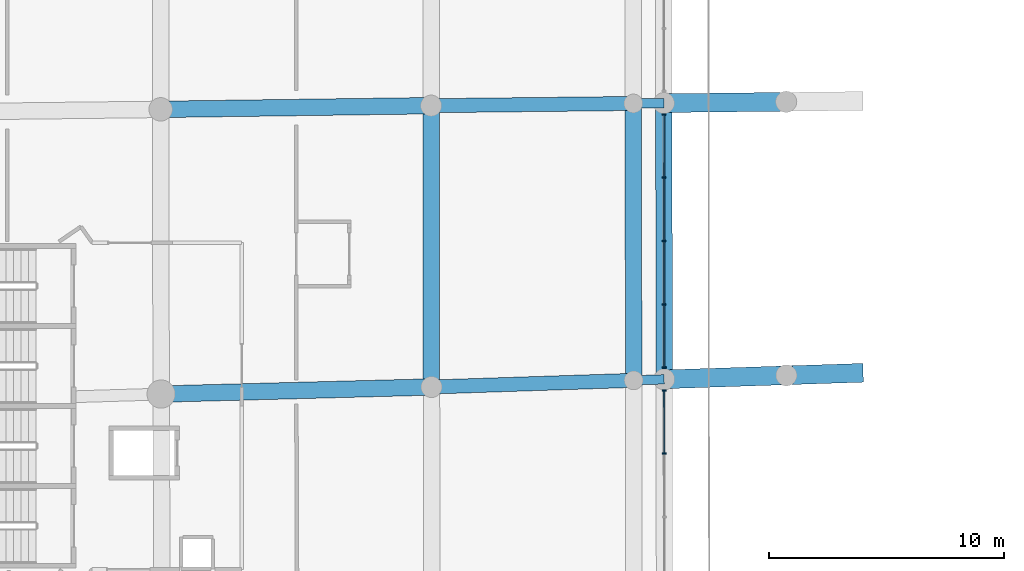
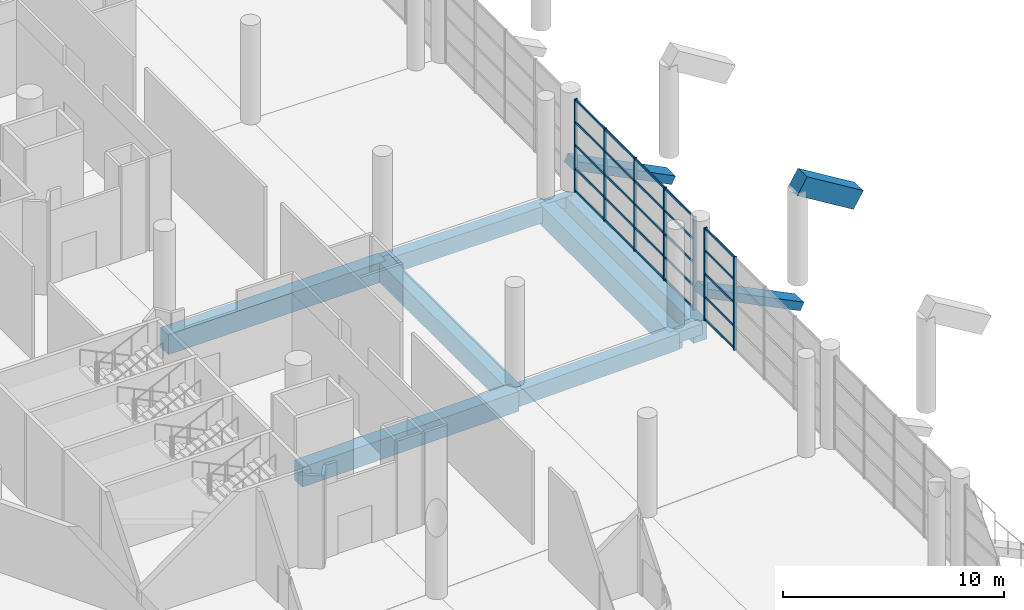
# One storey, part 37 of 271: 32 members, 12 beams, 2 elements without a shape of their own.
"""IFC4 building model written with IfcOpenShell, lengths in metres."""

from ifc_helpers import new_model, si_unit, direction, frame, origin, origin_2d, place, context, subcontext, project, spatial, rectangle, extrude, material, layer, layer_set, material_profile, profile_set, type_object, element, aggregate, save


model = new_model("IFC4")

# Units and contexts
model_context = context("Model", 3, precision=1e-05, world=origin(), true_north=direction((0.0, 1.0)))
body_context = subcontext(model_context, "Body", "Model", "MODEL_VIEW")
ifc_project = project(units=[si_unit("LENGTHUNIT", "METRE"), si_unit("AREAUNIT", "SQUARE_METRE"), si_unit("VOLUMEUNIT", "CUBIC_METRE"), si_unit("PLANEANGLEUNIT", "RADIAN"), si_unit("MASSUNIT", "GRAM", prefix="KILO")], contexts=[model_context])

# Site, building, storey
site_placement = place(None, origin())
site = spatial("IfcSite", under=ifc_project, at=site_placement, CompositionType="ELEMENT")
building_placement = place(site_placement, origin())
building = spatial("IfcBuilding", under=site, at=building_placement, Name="Meseta Stadium", CompositionType="ELEMENT")
storey_placement = place(building_placement, frame((0.0, 0.0, 6.5)))
storey = spatial("IfcBuildingStorey", under=building, at=storey_placement, Name="L01", CompositionType="ELEMENT", Elevation=6.5)

# Curtain wall, members
ifc_material_1 = material(Name="Aluminium", Category="aluminium")
ifc_layer = layer(ifc_material_1, 0.199951171875)
ifc_layer_set = layer_set([ifc_layer], Name="Club glazing curtain wall")
curtain_wall_type = type_object("IfcCurtainWallType", Name="Club glazing curtain wall", PredefinedType="NOTDEFINED", material=ifc_layer_set)
curtain_wall_1_placement = place(storey_placement, origin())
curtain_wall_1 = element("IfcCurtainWall", 1, at=curtain_wall_1_placement, inside=storey, type_object=curtain_wall_type, Name="Club glazing bay 33", PredefinedType="NOTDEFINED")
ifc_material_2 = material(Name="Aluminium", Category="aluminium")
ifc_material_profile_1 = material_profile(ifc_material_2, rectangle(XDim=0.159912109375, YDim=0.06005859375, at=origin_2d()), Name="CW 160x60")
ifc_profile_set_1 = profile_set([ifc_material_profile_1], Name="Aluminium")
member_type_1 = type_object("IfcMemberType", Name="CW mullion 60x160", PredefinedType="MULLION", material=ifc_profile_set_1)
member_1_placement = place(storey_placement, frame((-63.59814453125, -6.352783203125, 0.0), z_axis=(0.0, 0.0, 1.0), x_axis=(0.999999572613, 0.000924539991, 0.0)))
member_1 = element("IfcMember", 2, at=member_1_placement, type_object=member_type_1, Name="CWC mullion 1", PredefinedType="MULLION", context=body_context, shape_type="SweptSolid", body=[
    extrude(rectangle(XDim=0.159912109375, YDim=0.06005859375, at=origin_2d()), origin(), (0.0, 0.0, 1.0), 5.14990234375),
])
member_2_placement = place(storey_placement, frame((-63.595703125, -9.02685546875, 0.0), z_axis=(0.0, 0.0, 1.0), x_axis=(0.999999572613, 0.000924539991, 0.0)))
member_2 = element("IfcMember", 3, at=member_2_placement, type_object=member_type_1, Name="CWC mullion 2", PredefinedType="MULLION", context=body_context, shape_type="SweptSolid", body=[
    extrude(rectangle(XDim=0.159912109375, YDim=0.06005859375, at=origin_2d()), origin(), (0.0, 0.0, 1.0), 5.14990234375),
])
member_3_placement = place(storey_placement, frame((-63.59326171875, -11.730712890625, 0.0), z_axis=(0.0, 0.0, 1.0), x_axis=(0.999999572613, 0.000924539991, 0.0)))
member_3 = element("IfcMember", 4, at=member_3_placement, type_object=member_type_1, Name="CWC mullion 3", PredefinedType="MULLION", context=body_context, shape_type="SweptSolid", body=[
    extrude(rectangle(XDim=0.159912109375, YDim=0.06005859375, at=origin_2d()), origin(), (0.0, 0.0, 1.0), 5.14990234375),
])
member_4_placement = place(storey_placement, frame((-63.5908203125, -14.434814453125, 0.0), z_axis=(0.0, 0.0, 1.0), x_axis=(0.999999572613, 0.000924539991, 0.0)))
member_4 = element("IfcMember", 5, at=member_4_placement, type_object=member_type_1, Name="CWC mullion 4", PredefinedType="MULLION", context=body_context, shape_type="SweptSolid", body=[
    extrude(rectangle(XDim=0.159912109375, YDim=0.06005859375, at=origin_2d()), origin(), (0.0, 0.0, 1.0), 5.14990234375),
])
member_5_placement = place(storey_placement, frame((-63.588134765625, -17.10888671875, 0.0), z_axis=(0.0, 0.0, 1.0), x_axis=(0.999999572613, 0.000924539991, 0.0)))
member_5 = element("IfcMember", 6, at=member_5_placement, type_object=member_type_1, Name="CWC mullion 5", PredefinedType="MULLION", context=body_context, shape_type="SweptSolid", body=[
    extrude(rectangle(XDim=0.159912109375, YDim=0.06005859375, at=origin_2d()), origin(), (0.0, 0.0, 1.0), 5.14990234375),
])

curtain_wall_2_placement = place(storey_placement, origin())
curtain_wall_2 = element("IfcCurtainWall", 7, at=curtain_wall_2_placement, inside=storey, type_object=curtain_wall_type, Name="Club glazing bay 34", PredefinedType="NOTDEFINED")
member_6_placement = place(storey_placement, frame((-63.5869140625, -18.097900390625, 0.0), z_axis=(0.0, 0.0, 1.0), x_axis=(0.999998297516, 0.0018452545, 0.0)))
member_6 = element("IfcMember", 8, at=member_6_placement, type_object=member_type_1, Name="CWC mullion 1", PredefinedType="MULLION", context=body_context, shape_type="SweptSolid", body=[
    extrude(rectangle(XDim=0.159912109375, YDim=0.06005859375, at=origin_2d()), origin(), (0.0, 0.0, 1.0), 5.14990234375),
])
member_7_placement = place(storey_placement, frame((-63.58203125, -20.771728515625, 0.0), z_axis=(0.0, 0.0, 1.0), x_axis=(0.999998297516, 0.0018452545, 0.0)))
member_7 = element("IfcMember", 9, at=member_7_placement, type_object=member_type_1, Name="CWC mullion 2", PredefinedType="MULLION", context=body_context, shape_type="SweptSolid", body=[
    extrude(rectangle(XDim=0.159912109375, YDim=0.06005859375, at=origin_2d()), origin(), (0.0, 0.0, 1.0), 5.14990234375),
])

# Member
ifc_material_3 = material(Name="Aluminium", Category="aluminium")
ifc_material_profile_2 = material_profile(ifc_material_3, rectangle(XDim=0.06005859375, YDim=0.1201171875, at=origin_2d()), Name="CW 60x120")
ifc_profile_set_2 = profile_set([ifc_material_profile_2], Name="Aluminium")
member_type_2 = type_object("IfcMemberType", Name="CW transom 60x120", PredefinedType="USERDEFINED", material=ifc_profile_set_2)
member_8_placement = place(storey_placement, frame((-63.59814453125, -6.3828125, 0.06005859375), z_axis=(0.000933968025, -0.999999563852, 0.0), x_axis=(0.999999563852, 0.000933968025, 0.0)))
member_8 = element("IfcMember", 10, at=member_8_placement, type_object=member_type_2, Name="CWC transom 1.1", ObjectType="TRANSOM", PredefinedType="USERDEFINED", context=body_context, shape_type="SweptSolid", body=[
    extrude(rectangle(XDim=0.06005859375, YDim=0.1201171875, at=origin_2d()), origin(), (0.0, 0.0, 1.0), 2.614013671875),
])

member_9_placement = place(storey_placement, frame((-63.59814453125, -6.3828125, 1.28759765625), z_axis=(0.000933968025, -0.999999563852, 0.0), x_axis=(0.999999563852, 0.000933968025, 0.0)))
member_9 = element("IfcMember", 11, at=member_9_placement, type_object=member_type_2, Name="CWC transom 1.2", ObjectType="TRANSOM", PredefinedType="USERDEFINED", context=body_context, shape_type="SweptSolid", body=[
    extrude(rectangle(XDim=0.06005859375, YDim=0.1201171875, at=origin_2d()), origin(), (0.0, 0.0, 1.0), 2.614013671875),
])

member_10_placement = place(storey_placement, frame((-63.59814453125, -6.3828125, 2.574951171875), z_axis=(0.000933968025, -0.999999563852, 0.0), x_axis=(0.999999563852, 0.000933968025, 0.0)))
member_10 = element("IfcMember", 12, at=member_10_placement, type_object=member_type_2, Name="CWC transom 1.3", ObjectType="TRANSOM", PredefinedType="USERDEFINED", context=body_context, shape_type="SweptSolid", body=[
    extrude(rectangle(XDim=0.06005859375, YDim=0.1201171875, at=origin_2d()), origin(), (0.0, 0.0, 1.0), 2.614013671875),
])

member_11_placement = place(storey_placement, frame((-63.59814453125, -6.3828125, 3.862548828125), z_axis=(0.000933968025, -0.999999563852, 0.0), x_axis=(0.999999563852, 0.000933968025, 0.0)))
member_11 = element("IfcMember", 13, at=member_11_placement, type_object=member_type_2, Name="CWC transom 1.4", ObjectType="TRANSOM", PredefinedType="USERDEFINED", context=body_context, shape_type="SweptSolid", body=[
    extrude(rectangle(XDim=0.06005859375, YDim=0.1201171875, at=origin_2d()), origin(), (0.0, 0.0, 1.0), 2.614013671875),
])

member_12_placement = place(storey_placement, frame((-63.59814453125, -6.3828125, 5.090087890625), z_axis=(0.000933968025, -0.999999563852, 0.0), x_axis=(0.999999563852, 0.000933968025, 0.0)))
member_12 = element("IfcMember", 14, at=member_12_placement, type_object=member_type_2, Name="CWC transom 1.5", ObjectType="TRANSOM", PredefinedType="USERDEFINED", context=body_context, shape_type="SweptSolid", body=[
    extrude(rectangle(XDim=0.06005859375, YDim=0.1201171875, at=origin_2d()), origin(), (0.0, 0.0, 1.0), 2.614013671875),
])

member_13_placement = place(storey_placement, frame((-63.595703125, -9.056884765625, 0.06005859375), z_axis=(0.000923445908, -0.999999573624, 0.0), x_axis=(0.999999573624, 0.000923445908, 0.0)))
member_13 = element("IfcMember", 15, at=member_13_placement, type_object=member_type_2, Name="CWC transom 2.1", ObjectType="TRANSOM", PredefinedType="USERDEFINED", context=body_context, shape_type="SweptSolid", body=[
    extrude(rectangle(XDim=0.06005859375, YDim=0.1201171875, at=origin_2d()), origin(), (0.0, 0.0, 1.0), 2.643798828125),
])

member_14_placement = place(storey_placement, frame((-63.595703125, -9.056884765625, 1.28759765625), z_axis=(0.000923445908, -0.999999573624, 0.0), x_axis=(0.999999573624, 0.000923445908, 0.0)))
member_14 = element("IfcMember", 16, at=member_14_placement, type_object=member_type_2, Name="CWC transom 2.2", ObjectType="TRANSOM", PredefinedType="USERDEFINED", context=body_context, shape_type="SweptSolid", body=[
    extrude(rectangle(XDim=0.06005859375, YDim=0.1201171875, at=origin_2d()), origin(), (0.0, 0.0, 1.0), 2.643798828125),
])

member_15_placement = place(storey_placement, frame((-63.595703125, -9.056884765625, 2.574951171875), z_axis=(0.000923445908, -0.999999573624, 0.0), x_axis=(0.999999573624, 0.000923445908, 0.0)))
member_15 = element("IfcMember", 17, at=member_15_placement, type_object=member_type_2, Name="CWC transom 2.3", ObjectType="TRANSOM", PredefinedType="USERDEFINED", context=body_context, shape_type="SweptSolid", body=[
    extrude(rectangle(XDim=0.06005859375, YDim=0.1201171875, at=origin_2d()), origin(), (0.0, 0.0, 1.0), 2.643798828125),
])

member_16_placement = place(storey_placement, frame((-63.595703125, -9.056884765625, 3.862548828125), z_axis=(0.000923445908, -0.999999573624, 0.0), x_axis=(0.999999573624, 0.000923445908, 0.0)))
member_16 = element("IfcMember", 18, at=member_16_placement, type_object=member_type_2, Name="CWC transom 2.4", ObjectType="TRANSOM", PredefinedType="USERDEFINED", context=body_context, shape_type="SweptSolid", body=[
    extrude(rectangle(XDim=0.06005859375, YDim=0.1201171875, at=origin_2d()), origin(), (0.0, 0.0, 1.0), 2.643798828125),
])

member_17_placement = place(storey_placement, frame((-63.595703125, -9.056884765625, 5.090087890625), z_axis=(0.000923445908, -0.999999573624, 0.0), x_axis=(0.999999573624, 0.000923445908, 0.0)))
member_17 = element("IfcMember", 19, at=member_17_placement, type_object=member_type_2, Name="CWC transom 2.5", ObjectType="TRANSOM", PredefinedType="USERDEFINED", context=body_context, shape_type="SweptSolid", body=[
    extrude(rectangle(XDim=0.06005859375, YDim=0.1201171875, at=origin_2d()), origin(), (0.0, 0.0, 1.0), 2.643798828125),
])

member_18_placement = place(storey_placement, frame((-63.59326171875, -11.7607421875, 0.06005859375), z_axis=(0.000923360641, -0.999999573702, 0.0), x_axis=(0.999999573702, 0.000923360641, 0.0)))
member_18 = element("IfcMember", 20, at=member_18_placement, type_object=member_type_2, Name="CWC transom 3.1", ObjectType="TRANSOM", PredefinedType="USERDEFINED", context=body_context, shape_type="SweptSolid", body=[
    extrude(rectangle(XDim=0.06005859375, YDim=0.1201171875, at=origin_2d()), origin(), (0.0, 0.0, 1.0), 2.64404296875),
])

member_19_placement = place(storey_placement, frame((-63.59326171875, -11.7607421875, 1.28759765625), z_axis=(0.000923360641, -0.999999573702, 0.0), x_axis=(0.999999573702, 0.000923360641, 0.0)))
member_19 = element("IfcMember", 21, at=member_19_placement, type_object=member_type_2, Name="CWC transom 3.2", ObjectType="TRANSOM", PredefinedType="USERDEFINED", context=body_context, shape_type="SweptSolid", body=[
    extrude(rectangle(XDim=0.06005859375, YDim=0.1201171875, at=origin_2d()), origin(), (0.0, 0.0, 1.0), 2.64404296875),
])

member_20_placement = place(storey_placement, frame((-63.59326171875, -11.7607421875, 2.574951171875), z_axis=(0.000923360641, -0.999999573702, 0.0), x_axis=(0.999999573702, 0.000923360641, 0.0)))
member_20 = element("IfcMember", 22, at=member_20_placement, type_object=member_type_2, Name="CWC transom 3.3", ObjectType="TRANSOM", PredefinedType="USERDEFINED", context=body_context, shape_type="SweptSolid", body=[
    extrude(rectangle(XDim=0.06005859375, YDim=0.1201171875, at=origin_2d()), origin(), (0.0, 0.0, 1.0), 2.64404296875),
])

member_21_placement = place(storey_placement, frame((-63.59326171875, -11.7607421875, 3.862548828125), z_axis=(0.000923360641, -0.999999573702, 0.0), x_axis=(0.999999573702, 0.000923360641, 0.0)))
member_21 = element("IfcMember", 23, at=member_21_placement, type_object=member_type_2, Name="CWC transom 3.4", ObjectType="TRANSOM", PredefinedType="USERDEFINED", context=body_context, shape_type="SweptSolid", body=[
    extrude(rectangle(XDim=0.06005859375, YDim=0.1201171875, at=origin_2d()), origin(), (0.0, 0.0, 1.0), 2.64404296875),
])

member_22_placement = place(storey_placement, frame((-63.59326171875, -11.7607421875, 5.090087890625), z_axis=(0.000923360641, -0.999999573702, 0.0), x_axis=(0.999999573702, 0.000923360641, 0.0)))
member_22 = element("IfcMember", 24, at=member_22_placement, type_object=member_type_2, Name="CWC transom 3.5", ObjectType="TRANSOM", PredefinedType="USERDEFINED", context=body_context, shape_type="SweptSolid", body=[
    extrude(rectangle(XDim=0.06005859375, YDim=0.1201171875, at=origin_2d()), origin(), (0.0, 0.0, 1.0), 2.64404296875),
])

member_23_placement = place(storey_placement, frame((-63.590576171875, -14.46484375, 0.06005859375), z_axis=(0.000840571292, -0.99999964672, 0.0), x_axis=(0.99999964672, 0.000840571292, 0.0)))
member_23 = element("IfcMember", 25, at=member_23_placement, type_object=member_type_2, Name="CWC transom 4.1", ObjectType="TRANSOM", PredefinedType="USERDEFINED", context=body_context, shape_type="SweptSolid", body=[
    extrude(rectangle(XDim=0.06005859375, YDim=0.1201171875, at=origin_2d()), origin(), (0.0, 0.0, 1.0), 2.614013671875),
])

member_24_placement = place(storey_placement, frame((-63.590576171875, -14.46484375, 1.28759765625), z_axis=(0.000840571292, -0.99999964672, 0.0), x_axis=(0.99999964672, 0.000840571292, 0.0)))
member_24 = element("IfcMember", 26, at=member_24_placement, type_object=member_type_2, Name="CWC transom 4.2", ObjectType="TRANSOM", PredefinedType="USERDEFINED", context=body_context, shape_type="SweptSolid", body=[
    extrude(rectangle(XDim=0.06005859375, YDim=0.1201171875, at=origin_2d()), origin(), (0.0, 0.0, 1.0), 2.614013671875),
])

member_25_placement = place(storey_placement, frame((-63.590576171875, -14.46484375, 2.574951171875), z_axis=(0.000840571292, -0.99999964672, 0.0), x_axis=(0.99999964672, 0.000840571292, 0.0)))
member_25 = element("IfcMember", 27, at=member_25_placement, type_object=member_type_2, Name="CWC transom 4.3", ObjectType="TRANSOM", PredefinedType="USERDEFINED", context=body_context, shape_type="SweptSolid", body=[
    extrude(rectangle(XDim=0.06005859375, YDim=0.1201171875, at=origin_2d()), origin(), (0.0, 0.0, 1.0), 2.614013671875),
])

member_26_placement = place(storey_placement, frame((-63.590576171875, -14.46484375, 3.862548828125), z_axis=(0.000840571292, -0.99999964672, 0.0), x_axis=(0.99999964672, 0.000840571292, 0.0)))
member_26 = element("IfcMember", 28, at=member_26_placement, type_object=member_type_2, Name="CWC transom 4.4", ObjectType="TRANSOM", PredefinedType="USERDEFINED", context=body_context, shape_type="SweptSolid", body=[
    extrude(rectangle(XDim=0.06005859375, YDim=0.1201171875, at=origin_2d()), origin(), (0.0, 0.0, 1.0), 2.614013671875),
])

member_27_placement = place(storey_placement, frame((-63.590576171875, -14.46484375, 5.090087890625), z_axis=(0.000840571292, -0.99999964672, 0.0), x_axis=(0.99999964672, 0.000840571292, 0.0)))
member_27 = element("IfcMember", 29, at=member_27_placement, type_object=member_type_2, Name="CWC transom 4.5", ObjectType="TRANSOM", PredefinedType="USERDEFINED", context=body_context, shape_type="SweptSolid", body=[
    extrude(rectangle(XDim=0.06005859375, YDim=0.1201171875, at=origin_2d()), origin(), (0.0, 0.0, 1.0), 2.614013671875),
])

aggregate(curtain_wall_1, [member_1, member_2, member_3, member_4, member_5, member_8, member_9, member_10, member_11, member_12, member_13, member_14, member_15, member_16, member_17, member_18, member_19, member_20, member_21, member_22, member_23, member_24, member_25, member_26, member_27])

member_28_placement = place(storey_placement, frame((-63.5869140625, -18.1279296875, 0.06005859375), z_axis=(0.00186810808, -0.999998255085, 0.0), x_axis=(0.999998255085, 0.00186810808, 0.0)))
member_28 = element("IfcMember", 30, at=member_28_placement, type_object=member_type_2, Name="CWC transom 1.1", ObjectType="TRANSOM", PredefinedType="USERDEFINED", context=body_context, shape_type="SweptSolid", body=[
    extrude(rectangle(XDim=0.06005859375, YDim=0.1201171875, at=origin_2d()), origin(), (0.0, 0.0, 1.0), 2.61376953125),
])

member_29_placement = place(storey_placement, frame((-63.5869140625, -18.1279296875, 1.28759765625), z_axis=(0.00186810808, -0.999998255085, 0.0), x_axis=(0.999998255085, 0.00186810808, 0.0)))
member_29 = element("IfcMember", 31, at=member_29_placement, type_object=member_type_2, Name="CWC transom 1.2", ObjectType="TRANSOM", PredefinedType="USERDEFINED", context=body_context, shape_type="SweptSolid", body=[
    extrude(rectangle(XDim=0.06005859375, YDim=0.1201171875, at=origin_2d()), origin(), (0.0, 0.0, 1.0), 2.61376953125),
])

member_30_placement = place(storey_placement, frame((-63.5869140625, -18.1279296875, 2.574951171875), z_axis=(0.00186810808, -0.999998255085, 0.0), x_axis=(0.999998255085, 0.00186810808, 0.0)))
member_30 = element("IfcMember", 32, at=member_30_placement, type_object=member_type_2, Name="CWC transom 1.3", ObjectType="TRANSOM", PredefinedType="USERDEFINED", context=body_context, shape_type="SweptSolid", body=[
    extrude(rectangle(XDim=0.06005859375, YDim=0.1201171875, at=origin_2d()), origin(), (0.0, 0.0, 1.0), 2.61376953125),
])

member_31_placement = place(storey_placement, frame((-63.5869140625, -18.1279296875, 3.862548828125), z_axis=(0.00186810808, -0.999998255085, 0.0), x_axis=(0.999998255085, 0.00186810808, 0.0)))
member_31 = element("IfcMember", 33, at=member_31_placement, type_object=member_type_2, Name="CWC transom 1.4", ObjectType="TRANSOM", PredefinedType="USERDEFINED", context=body_context, shape_type="SweptSolid", body=[
    extrude(rectangle(XDim=0.06005859375, YDim=0.1201171875, at=origin_2d()), origin(), (0.0, 0.0, 1.0), 2.61376953125),
])

member_32_placement = place(storey_placement, frame((-63.5869140625, -18.1279296875, 5.090087890625), z_axis=(0.00186810808, -0.999998255085, 0.0), x_axis=(0.999998255085, 0.00186810808, 0.0)))
member_32 = element("IfcMember", 34, at=member_32_placement, type_object=member_type_2, Name="CWC transom 1.5", ObjectType="TRANSOM", PredefinedType="USERDEFINED", context=body_context, shape_type="SweptSolid", body=[
    extrude(rectangle(XDim=0.06005859375, YDim=0.1201171875, at=origin_2d()), origin(), (0.0, 0.0, 1.0), 2.61376953125),
])

aggregate(curtain_wall_2, [member_6, member_7, member_28, member_29, member_30, member_31, member_32])

# Beams
ifc_material_4 = material(Name="Concrete C40/50", Category="concrete")
ifc_material_profile_3 = material_profile(ifc_material_4, rectangle(XDim=0.39990234375, YDim=0.60009765625, at=origin_2d()), Name="RC 400x600")
ifc_profile_set_3 = profile_set([ifc_material_profile_3], Name="Concrete C40/50")
beam_type_1 = type_object("IfcBeamType", Name="RC beam 400x600", PredefinedType="BEAM", material=ifc_profile_set_3)
for number, where, z_axis, x_axis, name in (
    (35, (-63.5986328125, -5.872802734375, -0.64990234375), (-0.999940687241, -0.010891372744, 0.0), (0.010891372744, -0.999940687241, 0.0), "L01 radial beam frame 33 line C to D"),
    (36, (-63.587890625, -17.617919921875, -0.64990234375), (-0.99945362659, -0.033052205614, 0.0), (0.033052205614, -0.99945362659, 0.0), "L01 radial beam frame 34 line C to D"),
):
    element("IfcBeam", number, at=place(storey_placement, frame(where, z_axis=z_axis, x_axis=x_axis)), inside=storey, type_object=beam_type_1, Name=name, PredefinedType="BEAM", context=body_context, shape_type="SweptSolid", body=[
        extrude(rectangle(XDim=0.39990234375, YDim=0.60009765625, at=origin_2d()), origin(), (0.0, 0.0, 1.0), 1.300048828125),
    ])
ifc_material_5 = material(Name="Concrete C40/50", Category="concrete")
ifc_material_profile_4 = material_profile(ifc_material_5, rectangle(XDim=0.60009765625, YDim=0.89990234375, at=origin_2d()), Name="RC 600x900")
ifc_profile_set_4 = profile_set([ifc_material_profile_4], Name="Concrete C40/50")
beam_type_2 = type_object("IfcBeamType", Name="RC beam 600x900", PredefinedType="BEAM", material=ifc_profile_set_4)
for number, where, z_axis, x_axis, name in (
    (37, (-64.898681640625, -5.886962890625, -0.800048828125), (-0.999939958323, -0.010958090563, 0.0), (0.010958090563, -0.999939958323, 0.0), "L01 radial beam frame 33 line D to E"),
    (38, (-64.88720703125, -17.660888671875, -0.800048828125), (-0.999459492737, -0.032874342231, 0.0), (0.032874342231, -0.999459492737, 0.0), "L01 radial beam frame 34 line D to E"),
):
    element("IfcBeam", number, at=place(storey_placement, frame(where, z_axis=z_axis, x_axis=x_axis)), inside=storey, type_object=beam_type_2, Name=name, PredefinedType="BEAM", context=body_context, shape_type="SweptSolid", body=[
        extrude(rectangle(XDim=0.60009765625, YDim=0.89990234375, at=origin_2d()), origin(), (0.0, 0.0, 1.0), 8.599853515625),
    ])
ifc_material_6 = material(Name="Concrete C40/50", Category="concrete")
ifc_material_profile_5 = material_profile(ifc_material_6, rectangle(XDim=0.699951171875, YDim=1.10009765625, at=origin_2d()), Name="RC 700x1100")
ifc_profile_set_5 = profile_set([ifc_material_profile_5], Name="Concrete C40/50")
beam_type_3 = type_object("IfcBeamType", Name="RC beam 700x1100", PredefinedType="BEAM", material=ifc_profile_set_5)
beam_1_placement = place(storey_placement, frame((-63.5986328125, -5.872802734375, -0.89990234375), z_axis=(0.000914608414, -0.999999581746, 0.0), x_axis=(0.999999581746, 0.000914608414, 0.0)))
element("IfcBeam", 39, at=beam_1_placement, inside=storey, type_object=beam_type_3, Name="L01 ring beam frame 33 line C", PredefinedType="BEAM", context=body_context, shape_type="SweptSolid", body=[
    extrude(rectangle(XDim=0.699951171875, YDim=1.10009765625, at=origin_2d()), origin(), (0.0, 0.0, 1.0), 11.7451171875),
])
beam_2_placement = place(storey_placement, frame((-64.898681640625, -5.886962890625, -0.89990234375), z_axis=(0.000974577566, -0.999999525099, 0.0), x_axis=(0.999999525099, 0.000974577566, 0.0)))
element("IfcBeam", 40, at=beam_2_placement, inside=storey, type_object=beam_type_3, Name="L01 ring beam frame 33 line D", PredefinedType="BEAM", context=body_context, shape_type="SweptSolid", body=[
    extrude(rectangle(XDim=0.699951171875, YDim=1.10009765625, at=origin_2d()), origin(), (0.0, 0.0, 1.0), 11.77392578125),
])
beam_3_placement = place(storey_placement, frame((-73.498046875, -5.981201171875, -0.89990234375), z_axis=(0.001306174648, -0.999999146954, 0.0), x_axis=(0.999999146954, 0.001306174648, 0.0)))
element("IfcBeam", 41, at=beam_3_placement, inside=storey, type_object=beam_type_3, Name="L01 ring beam frame 33 line E", PredefinedType="BEAM", context=body_context, shape_type="SweptSolid", body=[
    extrude(rectangle(XDim=0.699951171875, YDim=1.10009765625, at=origin_2d()), origin(), (0.0, 0.0, 1.0), 11.96240234375),
])
for number, where, z_axis, x_axis, name in (
    (42, (-73.498046875, -5.981201171875, -0.89990234375), (-0.9999079826, -0.013565630592, 0.0), (0.013565630592, -0.9999079826, 0.0), "L01 radial beam frame 33 line E to P"),
    (43, (-73.482421875, -17.943603515625, -0.89990234375), (-0.999659567147, -0.026091182637, 0.0), (0.026091182637, -0.999659567147, 0.0), "L01 radial beam frame 34 line E to P"),
):
    element("IfcBeam", number, at=place(storey_placement, frame(where, z_axis=z_axis, x_axis=x_axis)), inside=storey, type_object=beam_type_3, Name=name, PredefinedType="BEAM", context=body_context, shape_type="SweptSolid", body=[
        extrude(rectangle(XDim=0.699951171875, YDim=1.10009765625, at=origin_2d()), origin(), (0.0, 0.0, 1.0), 11.5),
    ])
ifc_material_7 = material(Name="Concrete C40/50", Category="concrete")
ifc_material_profile_6 = material_profile(ifc_material_7, rectangle(XDim=0.800048828125, YDim=0.449951171875, at=origin_2d()), Name="RC 800x450")
ifc_profile_set_6 = profile_set([ifc_material_profile_6], Name="Concrete C40/50")
beam_type_4 = type_object("IfcBeamType", Name="RC raker lower 800x450", PredefinedType="USERDEFINED", material=ifc_profile_set_6)
for number, where, z_axis, x_axis, name in (
    (44, (-58.39892578125, -5.81591796875, -1.27197265625), (-0.890792815465, -0.009745268382, 0.454305172391), (0.010939339756, -0.999940163633, 0.0), "Raker lower frame 33 lower tier"),
    (45, (-58.390625, -17.447021484375, -1.208984375), (-0.890383809502, -0.02927793436, 0.454268064403), (0.032864612406, -0.999459812725, 0.0), "Raker lower frame 34 lower tier"),
):
    element("IfcBeam", number, at=place(storey_placement, frame(where, z_axis=z_axis, x_axis=x_axis)), inside=storey, type_object=beam_type_4, Name=name, ObjectType="RAKER", PredefinedType="USERDEFINED", context=body_context, shape_type="SweptSolid", body=[
        extrude(rectangle(XDim=0.800048828125, YDim=0.449951171875, at=origin_2d()), origin(), (0.0, 0.0, 1.0), 5.837158203125),
    ])
ifc_material_8 = material(Name="Concrete C40/50", Category="concrete")
ifc_material_profile_7 = material_profile(ifc_material_8, rectangle(XDim=0.800048828125, YDim=1.0, at=origin_2d()), Name="RC 800x1000")
ifc_profile_set_7 = profile_set([ifc_material_profile_7], Name="Concrete C40/50")
beam_type_5 = type_object("IfcBeamType", Name="RC raker upper front 800x1000", PredefinedType="USERDEFINED", material=ifc_profile_set_7)
beam_4_placement = place(storey_placement, frame((-55.39208984375, -17.348388671875, 3.57470703125), z_axis=(-0.847552363453, -0.02787910396, 0.529979005969), x_axis=(0.032875884593, -0.999459442005, 0.0)))
element("IfcBeam", 46, at=beam_4_placement, inside=storey, type_object=beam_type_5, Name="Raker upper front frame 34 upper tier", ObjectType="RAKER", PredefinedType="USERDEFINED", context=body_context, shape_type="SweptSolid", body=[
    extrude(rectangle(XDim=0.800048828125, YDim=1.0, at=origin_2d()), origin(), (0.0, 0.0, 1.0), 3.537841796875),
])

save(model, "model.ifc")
